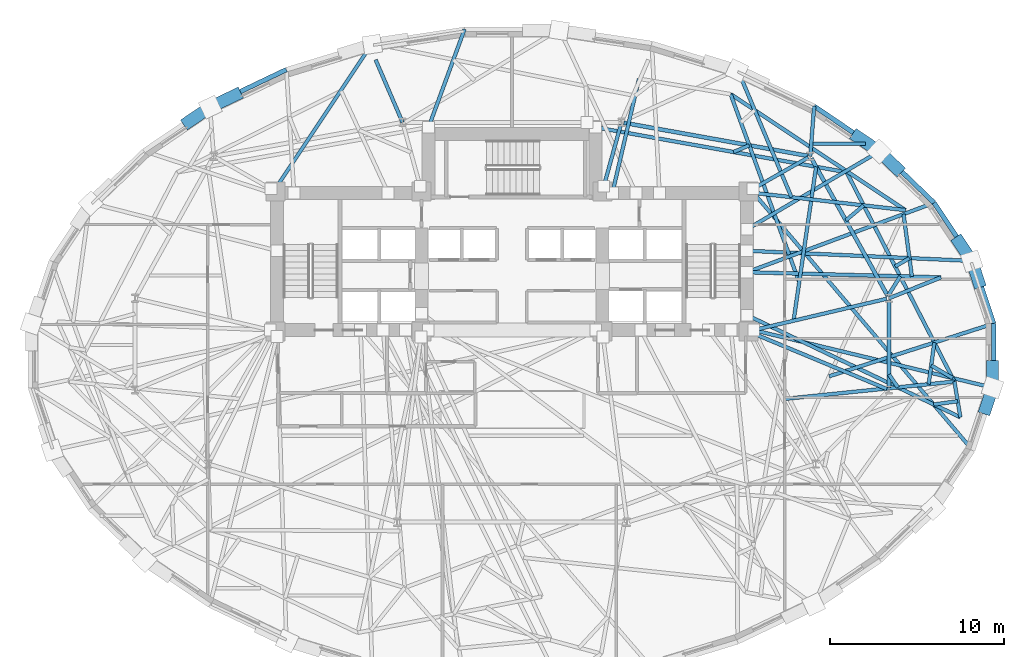
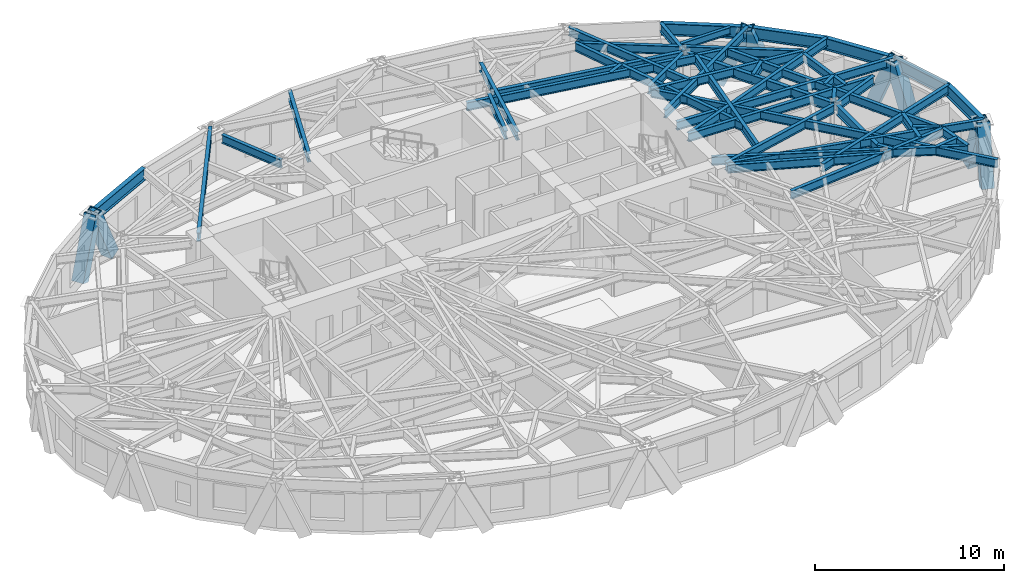
# One storey, part 4 of 14: 46 beams, 8 members.
"""IFC4 building model written with IfcOpenShell, lengths in metres."""

from ifc_helpers import new_model, si_unit, direction, frame, origin, origin_2d, place, context, subcontext, project, spatial, hollow_rectangle, i_section, extrude, material, material_profile, profile_set, type_object, element, save


model = new_model("IFC4")

# Units and contexts
model_context = context("Model", 3, precision=1e-05, world=origin(), true_north=direction((0.0, 1.0)))
body_context = subcontext(model_context, "Body", "Model", "MODEL_VIEW")
ifc_project = project(units=[si_unit("LENGTHUNIT", "METRE"), si_unit("AREAUNIT", "SQUARE_METRE"), si_unit("VOLUMEUNIT", "CUBIC_METRE"), si_unit("PLANEANGLEUNIT", "RADIAN"), si_unit("MASSUNIT", "GRAM", prefix="KILO")], contexts=[model_context])

# Site, building, storey
site_placement = place(None, origin())
site = spatial("IfcSite", under=ifc_project, at=site_placement, CompositionType="ELEMENT")
building_placement = place(site_placement, origin())
building = spatial("IfcBuilding", under=site, at=building_placement, Name="Keldmark Tower", CompositionType="ELEMENT")
storey_placement = place(building_placement, frame((0.0, 0.0, 100.10009765625)))
storey = spatial("IfcBuildingStorey", under=building, at=storey_placement, Name="L26", CompositionType="ELEMENT", Elevation=100.10009765625)

# Beam
ifc_material_1 = material(Name="Steel ASTM A992 Grade 50", Category="steel")
ifc_material_profile_1 = material_profile(ifc_material_1, i_section(OverallWidth=0.19091796875, OverallDepth=0.45703125, WebThickness=0.009033203125, FlangeThickness=0.014404296875, at=origin_2d()), Name="W18X50")
ifc_profile_set_1 = profile_set([ifc_material_profile_1], Name="Steel ASTM A992 Grade 50")
beam_type_1 = type_object("IfcBeamType", Name="Composite Floor Joist W18X50", PredefinedType="JOIST", material=ifc_profile_set_1)
beam_1_placement = place(storey_placement, frame((17.319091796875, 12.199951171875, 3.081298828125), z_axis=(1.0, 0.0, 0.0), x_axis=(0.0, 1.0, 0.0)))
element("IfcBeam", 1, at=beam_1_placement, inside=storey, type_object=beam_type_1, Name="L26 Composite Floor Joist J10", PredefinedType="JOIST", context=body_context, shape_type="SweptSolid", body=[
    extrude(i_section(OverallWidth=0.19091796875, OverallDepth=0.45703125, WebThickness=0.009033203125, FlangeThickness=0.014404296875, at=origin_2d()), origin(), (0.0, 0.0, 1.0), 3.036865234375),
])

# Members
ifc_material_2 = material(Name="Steel ASTM A572 Grade 50", Category="steel")
ifc_material_profile_2 = material_profile(ifc_material_2, hollow_rectangle(XDim=0.699951171875, YDim=0.699951171875, WallThickness=0.044921875, at=origin_2d()), Name="BOX700X700X45")
ifc_profile_set_2 = profile_set([ifc_material_profile_2], Name="Steel ASTM A572 Grade 50")
member_type = type_object("IfcMemberType", Name="Diagrid Zone 2 Brace BOX700X700X45", PredefinedType="BRACE", material=ifc_profile_set_2)
member_1_placement = place(storey_placement, frame((26.860595703125, 4.2470703125, -0.27001953125), z_axis=(-0.107952872963, 0.326045509503, 0.939170113958), x_axis=(-0.94931811266, -0.314316911692, 0.0)))
element("IfcMember", 2, at=member_1_placement, inside=storey, type_object=member_type, Name="L26 Perimeter Diagrid Brace 01A", PredefinedType="BRACE", context=body_context, shape_type="SweptSolid", body=[
    extrude(hollow_rectangle(XDim=0.699951171875, YDim=0.699951171875, WallThickness=0.044921875, at=origin_2d()), origin(), (0.0, 0.0, 1.0), 3.68408203125),
])
member_2_placement = place(storey_placement, frame((25.721923828125, 6.552734375, -0.27001953125), z_axis=(0.200341239284, -0.300742136213, 0.932425629929), x_axis=(0.832246318765, 0.554406046957, 0.0)))
element("IfcMember", 3, at=member_2_placement, inside=storey, type_object=member_type, Name="L26 Perimeter Diagrid Brace 01B", PredefinedType="BRACE", context=body_context, shape_type="SweptSolid", body=[
    extrude(hollow_rectangle(XDim=0.699951171875, YDim=0.699951171875, WallThickness=0.044921875, at=origin_2d()), origin(), (0.0, 0.0, 1.0), 3.710693359375),
])
member_3_placement = place(storey_placement, frame((22.171142578125, 10.764892578125, -0.27001953125), z_axis=(-0.276144933571, 0.265716991779, 0.923654944199), x_axis=(-0.693370375166, -0.720581378362, 0.0)))
element("IfcMember", 4, at=member_3_placement, inside=storey, type_object=member_type, Name="L26 Perimeter Diagrid Brace 02A", PredefinedType="BRACE", context=body_context, shape_type="SweptSolid", body=[
    extrude(hollow_rectangle(XDim=0.699951171875, YDim=0.699951171875, WallThickness=0.044921875, at=origin_2d()), origin(), (0.0, 0.0, 1.0), 3.745849609375),
])
member_4_placement = place(storey_placement, frame((19.876708984375, 12.60888671875, -0.27001953125), z_axis=(0.334798050685, -0.226898601813, 0.914563988878), x_axis=(0.561017482362, 0.827803952928, 0.0)))
element("IfcMember", 5, at=member_4_placement, inside=storey, type_object=member_type, Name="L26 Perimeter Diagrid Brace 02B", PredefinedType="BRACE", context=body_context, shape_type="SweptSolid", body=[
    extrude(hollow_rectangle(XDim=0.699951171875, YDim=0.699951171875, WallThickness=0.044921875, at=origin_2d()), origin(), (0.0, 0.0, 1.0), 3.783203125),
])
member_5_placement = place(storey_placement, frame((-15.893310546875, 15.0126953125, -0.27001953125), z_axis=(-0.38401046466, -0.183448963247, 0.904921234647), x_axis=(0.431057279259, -0.902324565773, 0.0)))
element("IfcMember", 6, at=member_5_placement, inside=storey, type_object=member_type, Name="L26 Perimeter Diagrid Brace 06A", PredefinedType="BRACE", context=body_context, shape_type="SweptSolid", body=[
    extrude(hollow_rectangle(XDim=0.699951171875, YDim=0.699951171875, WallThickness=0.044921875, at=origin_2d()), origin(), (0.0, 0.0, 1.0), 3.823486328125),
])
member_6_placement = place(storey_placement, frame((-18.618408203125, 13.459228515625, -0.27001953125), z_axis=(0.33479314782, 0.226959811273, 0.914550595779), x_axis=(-0.56112680855, 0.827729850088, 0.0)))
element("IfcMember", 7, at=member_6_placement, inside=storey, type_object=member_type, Name="L26 Perimeter Diagrid Brace 06B", PredefinedType="BRACE", context=body_context, shape_type="SweptSolid", body=[
    extrude(hollow_rectangle(XDim=0.699951171875, YDim=0.699951171875, WallThickness=0.044921875, at=origin_2d()), origin(), (0.0, 0.0, 1.0), 3.783203125),
])
member_7_placement = place(storey_placement, frame((27.260498046875, -3.0341796875, -0.27001953125), z_axis=(0.107952872963, 0.326045509503, 0.939170113958), x_axis=(-0.94931811266, 0.314316911692, 0.0)))
element("IfcMember", 8, at=member_7_placement, inside=storey, type_object=member_type, Name="L26 Perimeter Diagrid Brace 16A", PredefinedType="BRACE", context=body_context, shape_type="SweptSolid", body=[
    extrude(hollow_rectangle(XDim=0.699951171875, YDim=0.699951171875, WallThickness=0.044921875, at=origin_2d()), origin(), (0.0, 0.0, 1.0), 3.68408203125),
])
member_8_placement = place(storey_placement, frame((27.656005859375, -0.61083984375, -0.27001953125), z_axis=(0.0, -0.335839528807, 0.941919216754), x_axis=(1.0, 0.0, 0.0)))
element("IfcMember", 9, at=member_8_placement, inside=storey, type_object=member_type, Name="L26 Perimeter Diagrid Brace 16B", PredefinedType="BRACE", context=body_context, shape_type="SweptSolid", body=[
    extrude(hollow_rectangle(XDim=0.699951171875, YDim=0.699951171875, WallThickness=0.044921875, at=origin_2d()), origin(), (0.0, 0.0, 1.0), 3.67333984375),
])

# Beams
ifc_material_3 = material(Name="Steel ASTM A992 Grade 50", Category="steel")
ifc_material_profile_3 = material_profile(ifc_material_3, i_section(OverallWidth=0.22900390625, OverallDepth=0.612060546875, WebThickness=0.011962890625, FlangeThickness=0.01953125, at=origin_2d()), Name="W24X84")
ifc_profile_set_3 = profile_set([ifc_material_profile_3], Name="Steel ASTM A992 Grade 50")
beam_type_2 = type_object("IfcBeamType", Name="Primary Floor Girder W24X84", PredefinedType="BEAM", material=ifc_profile_set_3)
beam_2_placement = place(storey_placement, frame((21.62890625, 3.432373046875, 3.00390625), z_axis=(-0.484951836703, 0.874540860154, 0.0), x_axis=(-0.874540860154, -0.484951836703, 0.0)))
element("IfcBeam", 10, at=beam_2_placement, inside=storey, type_object=beam_type_2, Name="L26 Floor Ring Girder FG-R01", PredefinedType="BEAM", context=body_context, shape_type="SweptSolid", body=[
    extrude(i_section(OverallWidth=0.22900390625, OverallDepth=0.612060546875, WebThickness=0.011962890625, FlangeThickness=0.01953125, at=origin_2d()), origin(), (0.0, 0.0, 1.0), 9.060302734375),
])
beam_3_placement = place(storey_placement, frame((17.029296875, 11.503173828125, 3.00390625), z_axis=(-0.984218266992, 0.176958760505, 0.0), x_axis=(-0.176958760505, -0.984218266992, 0.0)))
element("IfcBeam", 11, at=beam_3_placement, inside=storey, type_object=beam_type_2, Name="L26 Floor Ring Girder FG-R02", PredefinedType="BEAM", context=body_context, shape_type="SweptSolid", body=[
    extrude(i_section(OverallWidth=0.22900390625, OverallDepth=0.612060546875, WebThickness=0.011962890625, FlangeThickness=0.01953125, at=origin_2d()), origin(), (0.0, 0.0, 1.0), 10.7626953125),
])
beam_4_placement = place(storey_placement, frame((21.697021484375, -1.825927734375, 3.00390625), z_axis=(0.0, 1.0, 0.0), x_axis=(-1.0, 0.0, 0.0)))
element("IfcBeam", 12, at=beam_4_placement, inside=storey, type_object=beam_type_2, Name="L26 Floor Ring Girder FG-R12", PredefinedType="BEAM", context=body_context, shape_type="SweptSolid", body=[
    extrude(i_section(OverallWidth=0.22900390625, OverallDepth=0.612060546875, WebThickness=0.011962890625, FlangeThickness=0.01953125, at=origin_2d()), origin(), (0.0, 0.0, 1.0), 4.995849609375),
])
ifc_material_4 = material(Name="Steel ASTM A992 Grade 50", Category="steel")
ifc_material_profile_4 = material_profile(ifc_material_4, i_section(OverallWidth=0.2099609375, OverallDepth=0.537109375, WebThickness=0.010986328125, FlangeThickness=0.017333984375, at=origin_2d()), Name="W21X68")
ifc_profile_set_4 = profile_set([ifc_material_profile_4], Name="Steel ASTM A992 Grade 50")
beam_type_3 = type_object("IfcBeamType", Name="Radial Tie Girder W21X68", PredefinedType="BEAM", material=ifc_profile_set_4)
beam_5_placement = place(storey_placement, frame((21.560546875, 3.27783203125, 3.04150390625), z_axis=(-0.973283778272, -0.229605502879, 0.0), x_axis=(0.229605502879, -0.973283778272, 0.0)))
element("IfcBeam", 13, at=beam_5_placement, inside=storey, type_object=beam_type_3, Name="L26 Floor Radial Girder FG-C01", PredefinedType="BEAM", context=body_context, shape_type="SweptSolid", body=[
    extrude(i_section(OverallWidth=0.2099609375, OverallDepth=0.537109375, WebThickness=0.010986328125, FlangeThickness=0.017333984375, at=origin_2d()), origin(), (0.0, 0.0, 1.0), 7.85888671875),
])
beam_6_placement = place(storey_placement, frame((17.04541015625, 11.4091796875, 3.04150390625), z_axis=(-0.86928447329, -0.494312152892, 0.0), x_axis=(0.494312152892, -0.86928447329, 0.0)))
element("IfcBeam", 14, at=beam_6_placement, inside=storey, type_object=beam_type_3, Name="L26 Floor Radial Girder FG-C02", PredefinedType="BEAM", context=body_context, shape_type="SweptSolid", body=[
    extrude(i_section(OverallWidth=0.2099609375, OverallDepth=0.537109375, WebThickness=0.010986328125, FlangeThickness=0.017333984375, at=origin_2d()), origin(), (0.0, 0.0, 1.0), 3.6435546875),
])
beam_7_placement = place(storey_placement, frame((6.26171875, 13.297607421875, 3.04150390625), z_axis=(-0.265997186795, -0.963973804944, 0.0), x_axis=(0.963973804944, -0.265997186795, 0.0)))
element("IfcBeam", 15, at=beam_7_placement, inside=storey, type_object=beam_type_3, Name="L26 Floor Radial Girder FG-C03", PredefinedType="BEAM", context=body_context, shape_type="SweptSolid", body=[
    extrude(i_section(OverallWidth=0.2099609375, OverallDepth=0.537109375, WebThickness=0.010986328125, FlangeThickness=0.017333984375, at=origin_2d()), origin(), (0.0, 0.0, 1.0), 3.67138671875),
])
beam_8_placement = place(storey_placement, frame((21.567626953125, -1.912109375, 3.04150390625), z_axis=(-0.923397393633, 0.383845350932, 0.0), x_axis=(-0.383845350932, -0.923397393633, 0.0)))
element("IfcBeam", 16, at=beam_8_placement, inside=storey, type_object=beam_type_3, Name="L26 Floor Radial Girder FG-C12", PredefinedType="BEAM", context=body_context, shape_type="SweptSolid", body=[
    extrude(i_section(OverallWidth=0.2099609375, OverallDepth=0.537109375, WebThickness=0.010986328125, FlangeThickness=0.017333984375, at=origin_2d()), origin(), (0.0, 0.0, 1.0), 8.30859375),
])
beam_9_placement = place(storey_placement, frame((16.206298828125, 2.014892578125, 3.04150390625), z_axis=(0.144668966659, 0.989480111011, 0.0), x_axis=(-0.989480111011, 0.144668966659, 0.0)))
element("IfcBeam", 17, at=beam_9_placement, inside=storey, type_object=beam_type_3, Name="L26 Framing Pin Header PH-001", PredefinedType="BEAM", context=body_context, shape_type="SweptSolid", body=[
    extrude(i_section(OverallWidth=0.2099609375, OverallDepth=0.537109375, WebThickness=0.010986328125, FlangeThickness=0.017333984375, at=origin_2d()), origin(), (0.0, 0.0, 1.0), 8.954345703125),
])
beam_10_placement = place(storey_placement, frame((4.800048828125, 13.14990234375, 3.04150390625), z_axis=(0.984336944595, -0.176297417749, 0.0), x_axis=(0.176297417749, 0.984336944595, 0.0)))
element("IfcBeam", 18, at=beam_10_placement, inside=storey, type_object=beam_type_3, Name="L26 Sub-Ring Step Girder STP1-M01", PredefinedType="BEAM", context=body_context, shape_type="SweptSolid", body=[
    extrude(i_section(OverallWidth=0.2099609375, OverallDepth=0.537109375, WebThickness=0.010986328125, FlangeThickness=0.017333984375, at=origin_2d()), origin(), (0.0, 0.0, 1.0), 14.688720703125),
])
beam_11_placement = place(storey_placement, frame((21.697021484375, -1.076416015625, 3.04150390625), z_axis=(0.566712846815, -0.823915377484, 0.0), x_axis=(0.823915377484, 0.566712846815, 0.0)))
element("IfcBeam", 19, at=beam_11_placement, inside=storey, type_object=beam_type_3, Name="L26 Framing Pin Header PH-007", PredefinedType="BEAM", context=body_context, shape_type="SweptSolid", body=[
    extrude(i_section(OverallWidth=0.2099609375, OverallDepth=0.537109375, WebThickness=0.010986328125, FlangeThickness=0.017333984375, at=origin_2d()), origin(), (0.0, 0.0, 1.0), 0.90087890625),
])
beam_12_placement = place(storey_placement, frame((15.57958984375, -2.4951171875, 3.04150390625), z_axis=(0.994834649081, 0.101508723705, 0.0), x_axis=(-0.101508723705, 0.994834649081, 0.0)))
element("IfcBeam", 20, at=beam_12_placement, inside=storey, type_object=beam_type_3, Name="L26 Sub-Ring Step Girder STP1-M12", PredefinedType="BEAM", context=body_context, shape_type="SweptSolid", body=[
    extrude(i_section(OverallWidth=0.2099609375, OverallDepth=0.537109375, WebThickness=0.010986328125, FlangeThickness=0.017333984375, at=origin_2d()), origin(), (0.0, 0.0, 1.0), 9.93310546875),
])
beam_13_placement = place(storey_placement, frame((25.46142578125, -1.48681640625, 3.04150390625), z_axis=(-0.457755076319, 0.889078337439, 0.0), x_axis=(-0.889078337439, -0.457755076319, 0.0)))
element("IfcBeam", 21, at=beam_13_placement, inside=storey, type_object=beam_type_3, Name="L26 Perimeter Collector Ring Beam CRG1-M12", PredefinedType="BEAM", context=body_context, shape_type="SweptSolid", body=[
    extrude(i_section(OverallWidth=0.2099609375, OverallDepth=0.537109375, WebThickness=0.010986328125, FlangeThickness=0.017333984375, at=origin_2d()), origin(), (0.0, 0.0, 1.0), 13.550048828125),
])
beam_14_placement = place(storey_placement, frame((19.21240234375, 7.790283203125, 3.04150390625), z_axis=(0.76581591472, 0.643059860947, 0.0), x_axis=(-0.643059860947, 0.76581591472, 0.0)))
element("IfcBeam", 22, at=beam_14_placement, inside=storey, type_object=beam_type_3, Name="L26 Framing Pin Header PH-008", PredefinedType="BEAM", context=body_context, shape_type="SweptSolid", body=[
    extrude(i_section(OverallWidth=0.2099609375, OverallDepth=0.537109375, WebThickness=0.010986328125, FlangeThickness=0.017333984375, at=origin_2d()), origin(), (0.0, 0.0, 1.0), 1.342529296875),
])
beam_15_placement = place(storey_placement, frame((13.89990234375, 9.375, 3.04150390625), z_axis=(0.993589889236, -0.113044823008, 0.0), x_axis=(0.113044823008, 0.993589889236, 0.0)))
element("IfcBeam", 23, at=beam_15_placement, inside=storey, type_object=beam_type_3, Name="L26 Sub-Ring Step Girder STP2-M01", PredefinedType="BEAM", context=body_context, shape_type="SweptSolid", body=[
    extrude(i_section(OverallWidth=0.2099609375, OverallDepth=0.537109375, WebThickness=0.010986328125, FlangeThickness=0.017333984375, at=origin_2d()), origin(), (0.0, 0.0, 1.0), 8.79638671875),
])
beam_16_placement = place(storey_placement, frame((12.752197265625, 11.7255859375, 3.04150390625), z_axis=(0.920286144386, 0.391245974357, 0.0), x_axis=(-0.391245974357, 0.920286144386, 0.0)))
element("IfcBeam", 24, at=beam_16_placement, inside=storey, type_object=beam_type_3, Name="L26 Framing Pin Header PH-009", PredefinedType="BEAM", context=body_context, shape_type="SweptSolid", body=[
    extrude(i_section(OverallWidth=0.2099609375, OverallDepth=0.537109375, WebThickness=0.010986328125, FlangeThickness=0.017333984375, at=origin_2d()), origin(), (0.0, 0.0, 1.0), 0.9814453125),
])
beam_17_placement = place(storey_placement, frame((16.530029296875, 4.22998046875, 3.04150390625), z_axis=(-0.342719452961, 0.939437798134, 0.0), x_axis=(-0.939437798134, -0.342719452961, 0.0)))
element("IfcBeam", 25, at=beam_17_placement, inside=storey, type_object=beam_type_3, Name="L26 Sub-Ring Step Girder STP2-M02", PredefinedType="BEAM", context=body_context, shape_type="SweptSolid", body=[
    extrude(i_section(OverallWidth=0.2099609375, OverallDepth=0.537109375, WebThickness=0.010986328125, FlangeThickness=0.017333984375, at=origin_2d()), origin(), (0.0, 0.0, 1.0), 11.521728515625),
])
beam_18_placement = place(storey_placement, frame((22.639892578125, 8.380615234375, 3.04150390625), z_axis=(-0.833286637713, 0.552841188234, 0.0), x_axis=(-0.552841188234, -0.833286637713, 0.0)))
element("IfcBeam", 26, at=beam_18_placement, inside=storey, type_object=beam_type_3, Name="L26 Perimeter Collector Ring Beam CRG2-M01", PredefinedType="BEAM", context=body_context, shape_type="SweptSolid", body=[
    extrude(i_section(OverallWidth=0.2099609375, OverallDepth=0.537109375, WebThickness=0.010986328125, FlangeThickness=0.017333984375, at=origin_2d()), origin(), (0.0, 0.0, 1.0), 12.071044921875),
])
beam_19_placement = place(storey_placement, frame((23.97900390625, -1.637939453125, 3.04150390625), z_axis=(0.135198813671, 0.990818490331, 0.0), x_axis=(-0.990818490331, 0.135198813671, 0.0)))
element("IfcBeam", 27, at=beam_19_placement, inside=storey, type_object=beam_type_3, Name="L26 Framing Pin Header PH-015", PredefinedType="BEAM", context=body_context, shape_type="SweptSolid", body=[
    extrude(i_section(OverallWidth=0.2099609375, OverallDepth=0.537109375, WebThickness=0.010986328125, FlangeThickness=0.017333984375, at=origin_2d()), origin(), (0.0, 0.0, 1.0), 2.41796875),
])
beam_20_placement = place(storey_placement, frame((18.253173828125, -1.181640625, 3.04150390625), z_axis=(0.952301970489, 0.305157266015, 0.0), x_axis=(-0.305157266015, 0.952301970489, 0.0)))
element("IfcBeam", 28, at=beam_20_placement, inside=storey, type_object=beam_type_3, Name="L26 Perimeter Radial Tie Girder RT-01", PredefinedType="BEAM", context=body_context, shape_type="SweptSolid", body=[
    extrude(i_section(OverallWidth=0.2099609375, OverallDepth=0.537109375, WebThickness=0.010986328125, FlangeThickness=0.017333984375, at=origin_2d()), origin(), (0.0, 0.0, 1.0), 9.9365234375),
])
beam_21_placement = place(storey_placement, frame((21.62890625, 3.432373046875, 3.04150390625), z_axis=(0.529656264599, 0.848212379874, 0.0), x_axis=(-0.848212379874, 0.529656264599, 0.0)))
element("IfcBeam", 29, at=beam_21_placement, inside=storey, type_object=beam_type_3, Name="L26 Framing Pin Header PH-016", PredefinedType="BEAM", context=body_context, shape_type="SweptSolid", body=[
    extrude(i_section(OverallWidth=0.2099609375, OverallDepth=0.537109375, WebThickness=0.010986328125, FlangeThickness=0.017333984375, at=origin_2d()), origin(), (0.0, 0.0, 1.0), 1.344970703125),
])
beam_22_placement = place(storey_placement, frame((13.52490234375, 4.80712890625, 3.04150390625), z_axis=(0.999648483101, -0.026512454303, 0.0), x_axis=(0.026512454303, 0.999648483101, 0.0)))
element("IfcBeam", 30, at=beam_22_placement, inside=storey, type_object=beam_type_3, Name="L26 Intermediate Radial Step Girder RT-02M", PredefinedType="BEAM", context=body_context, shape_type="SweptSolid", body=[
    extrude(i_section(OverallWidth=0.2099609375, OverallDepth=0.537109375, WebThickness=0.010986328125, FlangeThickness=0.017333984375, at=origin_2d()), origin(), (0.0, 0.0, 1.0), 11.169921875),
])
beam_23_placement = place(storey_placement, frame((21.697021484375, 3.309814453125, 3.04150390625), z_axis=(0.928089948951, 0.372356075091, 0.0), x_axis=(-0.372356075091, 0.928089948951, 0.0)))
element("IfcBeam", 31, at=beam_23_placement, inside=storey, type_object=beam_type_3, Name="L26 Local Collector Chord RT-02C", PredefinedType="BEAM", context=body_context, shape_type="SweptSolid", body=[
    extrude(i_section(OverallWidth=0.2099609375, OverallDepth=0.537109375, WebThickness=0.010986328125, FlangeThickness=0.017333984375, at=origin_2d()), origin(), (0.0, 0.0, 1.0), 3.225830078125),
])
beam_24_placement = place(storey_placement, frame((23.01611328125, 4.555419921875, 3.04150390625), z_axis=(-0.132886845037, 0.991131215539, 0.0), x_axis=(-0.991131215539, -0.132886845037, 0.0)))
element("IfcBeam", 32, at=beam_24_placement, inside=storey, type_object=beam_type_3, Name="L26 Framing Pin Header PH-017", PredefinedType="BEAM", context=body_context, shape_type="SweptSolid", body=[
    extrude(i_section(OverallWidth=0.2099609375, OverallDepth=0.537109375, WebThickness=0.010986328125, FlangeThickness=0.017333984375, at=origin_2d()), origin(), (0.0, 0.0, 1.0), 3.626708984375),
])
beam_25_placement = place(storey_placement, frame((13.52490234375, 4.80712890625, 3.04150390625), z_axis=(0.93754475098, 0.347864686206, 0.0), x_axis=(-0.347864686206, 0.93754475098, 0.0)))
element("IfcBeam", 33, at=beam_25_placement, inside=storey, type_object=beam_type_3, Name="L26 Perimeter Radial Tie Girder RT-03", PredefinedType="BEAM", context=body_context, shape_type="SweptSolid", body=[
    extrude(i_section(OverallWidth=0.2099609375, OverallDepth=0.537109375, WebThickness=0.010986328125, FlangeThickness=0.017333984375, at=origin_2d()), origin(), (0.0, 0.0, 1.0), 11.4853515625),
])
beam_26_placement = place(storey_placement, frame((13.52490234375, 7.278564453125, 3.04150390625), z_axis=(0.861869987835, 0.50712929719, 0.0), x_axis=(-0.50712929719, 0.861869987835, 0.0)))
element("IfcBeam", 34, at=beam_26_placement, inside=storey, type_object=beam_type_3, Name="L26 Perimeter Radial Tie Girder RT-04", PredefinedType="BEAM", context=body_context, shape_type="SweptSolid", body=[
    extrude(i_section(OverallWidth=0.2099609375, OverallDepth=0.537109375, WebThickness=0.010986328125, FlangeThickness=0.017333984375, at=origin_2d()), origin(), (0.0, 0.0, 1.0), 8.893310546875),
])
beam_27_placement = place(storey_placement, frame((17.1669921875, 11.478271484375, 3.04150390625), z_axis=(0.077006087343, 0.997030622655, 0.0), x_axis=(-0.997030622655, 0.077006087343, 0.0)))
element("IfcBeam", 35, at=beam_27_placement, inside=storey, type_object=beam_type_3, Name="L26 Perimeter Column Bracket RT-05", PredefinedType="BEAM", context=body_context, shape_type="SweptSolid", body=[
    extrude(i_section(OverallWidth=0.2099609375, OverallDepth=0.537109375, WebThickness=0.010986328125, FlangeThickness=0.017333984375, at=origin_2d()), origin(), (0.0, 0.0, 1.0), 2.89453125),
])
beam_28_placement = place(storey_placement, frame((16.0849609375, 9.12646484375, 3.04150390625), z_axis=(-0.389007281496, 0.921234679625, 0.0), x_axis=(-0.921234679625, -0.389007281496, 0.0)))
element("IfcBeam", 36, at=beam_28_placement, inside=storey, type_object=beam_type_3, Name="L26 Perimeter Radial Tie Girder RT-06", PredefinedType="BEAM", context=body_context, shape_type="SweptSolid", body=[
    extrude(i_section(OverallWidth=0.2099609375, OverallDepth=0.537109375, WebThickness=0.010986328125, FlangeThickness=0.017333984375, at=origin_2d()), origin(), (0.0, 0.0, 1.0), 7.96923828125),
])
beam_29_placement = place(storey_placement, frame((5.778564453125, 9.375, 3.04150390625), z_axis=(0.227013356971, 0.973891644772, 0.0), x_axis=(-0.973891644772, 0.227013356971, 0.0)))
element("IfcBeam", 37, at=beam_29_placement, inside=storey, type_object=beam_type_3, Name="L26 Intermediate Radial Step Girder RT-07M", PredefinedType="BEAM", context=body_context, shape_type="SweptSolid", body=[
    extrude(i_section(OverallWidth=0.2099609375, OverallDepth=0.537109375, WebThickness=0.010986328125, FlangeThickness=0.017333984375, at=origin_2d()), origin(), (0.0, 0.0, 1.0), 6.7451171875),
])
beam_30_placement = place(storey_placement, frame((-13.52490234375, 9.75, 3.04150390625), z_axis=(0.554204321009, 0.832380664465, 0.0), x_axis=(-0.832380664465, 0.554204321009, 0.0)))
element("IfcBeam", 38, at=beam_30_placement, inside=storey, type_object=beam_type_3, Name="L26 Perimeter Radial Tie Girder RT-10", PredefinedType="BEAM", context=body_context, shape_type="SweptSolid", body=[
    extrude(i_section(OverallWidth=0.2099609375, OverallDepth=0.537109375, WebThickness=0.010986328125, FlangeThickness=0.017333984375, at=origin_2d()), origin(), (0.0, 0.0, 1.0), 9.88671875),
])
beam_31_placement = place(storey_placement, frame((13.52490234375, 2.335693359375, 3.04150390625), z_axis=(0.90204710239, -0.431637608498, 0.0), x_axis=(0.431637608498, 0.90204710239, 0.0)))
element("IfcBeam", 39, at=beam_31_placement, inside=storey, type_object=beam_type_3, Name="L26 Intermediate Radial Step Girder RT-31M", PredefinedType="BEAM", context=body_context, shape_type="SweptSolid", body=[
    extrude(i_section(OverallWidth=0.2099609375, OverallDepth=0.537109375, WebThickness=0.010986328125, FlangeThickness=0.017333984375, at=origin_2d()), origin(), (0.0, 0.0, 1.0), 13.61376953125),
])
beam_32_placement = place(storey_placement, frame((25.46142578125, -1.48681640625, 3.04150390625), z_axis=(0.165083415203, -0.98627960844, 0.0), x_axis=(0.98627960844, 0.165083415203, 0.0)))
element("IfcBeam", 40, at=beam_32_placement, inside=storey, type_object=beam_type_3, Name="L26 Local Collector Chord RT-31C", PredefinedType="BEAM", context=body_context, shape_type="SweptSolid", body=[
    extrude(i_section(OverallWidth=0.2099609375, OverallDepth=0.537109375, WebThickness=0.010986328125, FlangeThickness=0.017333984375, at=origin_2d()), origin(), (0.0, 0.0, 1.0), 2.082275390625),
])
beam_33_placement = place(storey_placement, frame((25.650390625, -2.6162109375, 3.04150390625), z_axis=(-0.99083868224, -0.135050752594, 0.0), x_axis=(0.135050752594, -0.99083868224, 0.0)))
element("IfcBeam", 41, at=beam_33_placement, inside=storey, type_object=beam_type_3, Name="L26 Framing Pin Header PH-045", PredefinedType="BEAM", context=body_context, shape_type="SweptSolid", body=[
    extrude(i_section(OverallWidth=0.2099609375, OverallDepth=0.537109375, WebThickness=0.010986328125, FlangeThickness=0.017333984375, at=origin_2d()), origin(), (0.0, 0.0, 1.0), 1.3955078125),
])
beam_34_placement = place(storey_placement, frame((13.89990234375, 9.375, 3.04150390625), z_axis=(0.64818684665, -0.761481327302, 0.0), x_axis=(0.761481327302, 0.64818684665, 0.0)))
element("IfcBeam", 42, at=beam_34_placement, inside=storey, type_object=beam_type_3, Name="L26 Perimeter Radial Tie Girder RT-31", PredefinedType="BEAM", context=body_context, shape_type="SweptSolid", body=[
    extrude(i_section(OverallWidth=0.2099609375, OverallDepth=0.537109375, WebThickness=0.010986328125, FlangeThickness=0.017333984375, at=origin_2d()), origin(), (0.0, 0.0, 1.0), 19.47412109375),
])
beam_35_placement = place(storey_placement, frame((24.126220703125, -0.559814453125, 3.04150390625), z_axis=(0.862123315509, -0.506698518702, 0.0), x_axis=(0.506698518702, 0.862123315509, 0.0)))
element("IfcBeam", 43, at=beam_35_placement, inside=storey, type_object=beam_type_3, Name="L26 Framing Pin Header PH-046", PredefinedType="BEAM", context=body_context, shape_type="SweptSolid", body=[
    extrude(i_section(OverallWidth=0.2099609375, OverallDepth=0.537109375, WebThickness=0.010986328125, FlangeThickness=0.017333984375, at=origin_2d()), origin(), (0.0, 0.0, 1.0), 1.4267578125),
])
beam_36_placement = place(storey_placement, frame((13.89990234375, 1.47509765625, 3.04150390625), z_axis=(0.972229573355, -0.234029179152, 0.0), x_axis=(0.234029179152, 0.972229573355, 0.0)))
element("IfcBeam", 44, at=beam_36_placement, inside=storey, type_object=beam_type_3, Name="L26 Perimeter Radial Tie Girder RT-32", PredefinedType="BEAM", context=body_context, shape_type="SweptSolid", body=[
    extrude(i_section(OverallWidth=0.2099609375, OverallDepth=0.537109375, WebThickness=0.010986328125, FlangeThickness=0.017333984375, at=origin_2d()), origin(), (0.0, 0.0, 1.0), 14.21044921875),
])
beam_37_placement = place(storey_placement, frame((-6.298828125, 13.4326171875, 3.04150390625), z_axis=(-0.395437186935, 0.918493021851, 0.0), x_axis=(-0.918493021851, -0.395437186935, 0.0)))
element("IfcBeam", 45, at=beam_37_placement, inside=storey, type_object=beam_type_3, Name="L26 North Column Cantilever Girder West FG-TCN-W", PredefinedType="BEAM", context=body_context, shape_type="SweptSolid", body=[
    extrude(i_section(OverallWidth=0.2099609375, OverallDepth=0.537109375, WebThickness=0.010986328125, FlangeThickness=0.017333984375, at=origin_2d()), origin(), (0.0, 0.0, 1.0), 3.919921875),
])
beam_38_placement = place(storey_placement, frame((22.0498046875, 5.13916015625, 3.04150390625), z_axis=(0.863843915315, 0.503759555714, 0.0), x_axis=(-0.503759555714, 0.863843915315, 0.0)))
element("IfcBeam", 46, at=beam_38_placement, inside=storey, type_object=beam_type_3, Name="L26 Framing Pin Header PH-047", PredefinedType="BEAM", context=body_context, shape_type="SweptSolid", body=[
    extrude(i_section(OverallWidth=0.2099609375, OverallDepth=0.537109375, WebThickness=0.010986328125, FlangeThickness=0.017333984375, at=origin_2d()), origin(), (0.0, 0.0, 1.0), 0.953369140625),
])
beam_39_placement = place(storey_placement, frame((13.52490234375, 6.04296875, 3.04150390625), z_axis=(0.998975299612, -0.045258709267, 0.0), x_axis=(0.045258709267, 0.998975299612, 0.0)))
element("IfcBeam", 47, at=beam_39_placement, inside=storey, type_object=beam_type_3, Name="L26 Perimeter Radial Tie Girder RT-02R", PredefinedType="BEAM", context=body_context, shape_type="SweptSolid", body=[
    extrude(i_section(OverallWidth=0.2099609375, OverallDepth=0.537109375, WebThickness=0.010986328125, FlangeThickness=0.017333984375, at=origin_2d()), origin(), (0.0, 0.0, 1.0), 13.01123046875),
])
beam_40_placement = place(storey_placement, frame((-4.800048828125, 13.14990234375, 3.04150390625), z_axis=(0.344678591082, 0.938720761915, 0.0), x_axis=(-0.938720761915, 0.344678591082, 0.0)))
element("IfcBeam", 48, at=beam_40_placement, inside=storey, type_object=beam_type_3, Name="L26 Perimeter Radial Tie Girder RT-09R", PredefinedType="BEAM", context=body_context, shape_type="SweptSolid", body=[
    extrude(i_section(OverallWidth=0.2099609375, OverallDepth=0.537109375, WebThickness=0.010986328125, FlangeThickness=0.017333984375, at=origin_2d()), origin(), (0.0, 0.0, 1.0), 6.006591796875),
])
ifc_material_5 = material(Name="Steel ASTM A992 Grade 50", Category="steel")
ifc_material_profile_5 = material_profile(ifc_material_5, i_section(OverallWidth=0.26806640625, OverallDepth=0.77001953125, WebThickness=0.015625, FlangeThickness=0.025390625, at=origin_2d()), Name="W30X132")
ifc_profile_set_5 = profile_set([ifc_material_profile_5], Name="Steel ASTM A992 Grade 50")
beam_type_4 = type_object("IfcBeamType", Name="Spandrel Ring Beam W30X132", PredefinedType="SPANDREL", material=ifc_profile_set_5)
beam_41_placement = place(storey_placement, frame((27.7158203125, 1.8505859375, 2.9248046875), z_axis=(-0.314316911692, 0.94931811266, 0.0), x_axis=(-0.94931811266, -0.314316911692, 0.0)))
element("IfcBeam", 49, at=beam_41_placement, inside=storey, type_object=beam_type_4, Name="L26 Perimeter Spandrel Ring Beam SRB-01", PredefinedType="SPANDREL", context=body_context, shape_type="SweptSolid", body=[
    extrude(i_section(OverallWidth=0.26806640625, OverallDepth=0.77001953125, WebThickness=0.015625, FlangeThickness=0.025390625, at=origin_2d()), origin(), (0.0, 0.0, 1.0), 3.7958984375),
])
beam_42_placement = place(storey_placement, frame((26.522705078125, 5.4541015625, 2.9248046875), z_axis=(-0.554265966169, 0.832339617432, 0.0), x_axis=(-0.832339617432, -0.554265966169, 0.0)))
element("IfcBeam", 50, at=beam_42_placement, inside=storey, type_object=beam_type_4, Name="L26 Perimeter Spandrel Ring Beam SRB-02", PredefinedType="SPANDREL", context=body_context, shape_type="SweptSolid", body=[
    extrude(i_section(OverallWidth=0.26806640625, OverallDepth=0.77001953125, WebThickness=0.015625, FlangeThickness=0.025390625, at=origin_2d()), origin(), (0.0, 0.0, 1.0), 4.02294921875),
])
beam_43_placement = place(storey_placement, frame((24.29296875, 8.802490234375, 2.9248046875), z_axis=(-0.720581378362, 0.693370375166, 0.0), x_axis=(-0.693370375166, -0.720581378362, 0.0)))
element("IfcBeam", 51, at=beam_43_placement, inside=storey, type_object=beam_type_4, Name="L26 Perimeter Spandrel Ring Beam SRB-03", PredefinedType="SPANDREL", context=body_context, shape_type="SweptSolid", body=[
    extrude(i_section(OverallWidth=0.26806640625, OverallDepth=0.77001953125, WebThickness=0.015625, FlangeThickness=0.025390625, at=origin_2d()), origin(), (0.0, 0.0, 1.0), 4.306640625),
])
beam_44_placement = place(storey_placement, frame((21.189697265625, 11.78857421875, 2.9248046875), z_axis=(-0.827754551165, 0.56109036975, 0.0), x_axis=(-0.56109036975, -0.827754551165, 0.0)))
element("IfcBeam", 52, at=beam_44_placement, inside=storey, type_object=beam_type_4, Name="L26 Perimeter Spandrel Ring Beam SRB-04", PredefinedType="SPANDREL", context=body_context, shape_type="SweptSolid", body=[
    extrude(i_section(OverallWidth=0.26806640625, OverallDepth=0.77001953125, WebThickness=0.015625, FlangeThickness=0.025390625, at=origin_2d()), origin(), (0.0, 0.0, 1.0), 4.590576171875),
])
beam_45_placement = place(storey_placement, frame((-12.98486328125, 16.468017578125, 2.9248046875), z_axis=(-0.902372757907, -0.430956385018, 0.0), x_axis=(0.430956385018, -0.902372757907, 0.0)))
element("IfcBeam", 53, at=beam_45_placement, inside=storey, type_object=beam_type_4, Name="L26 Perimeter Spandrel Ring Beam SRB-11", PredefinedType="SPANDREL", context=body_context, shape_type="SweptSolid", body=[
    extrude(i_section(OverallWidth=0.26806640625, OverallDepth=0.77001953125, WebThickness=0.015625, FlangeThickness=0.025390625, at=origin_2d()), origin(), (0.0, 0.0, 1.0), 4.881591796875),
])
beam_46_placement = place(storey_placement, frame((27.7158203125, -1.8505859375, 2.9248046875), z_axis=(0.0, 1.0, 0.0), x_axis=(-1.0, 0.0, 0.0)))
element("IfcBeam", 54, at=beam_46_placement, inside=storey, type_object=beam_type_4, Name="L26 Perimeter Spandrel Ring Beam SRB-32", PredefinedType="SPANDREL", context=body_context, shape_type="SweptSolid", body=[
    extrude(i_section(OverallWidth=0.26806640625, OverallDepth=0.77001953125, WebThickness=0.015625, FlangeThickness=0.025390625, at=origin_2d()), origin(), (0.0, 0.0, 1.0), 3.701171875),
])

save(model, "model.ifc")
